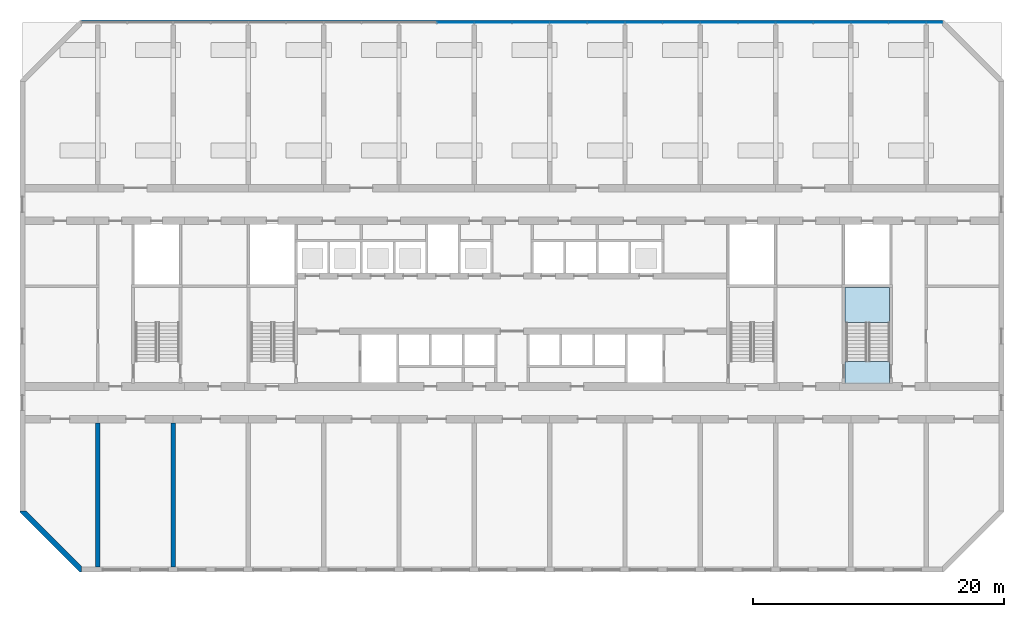
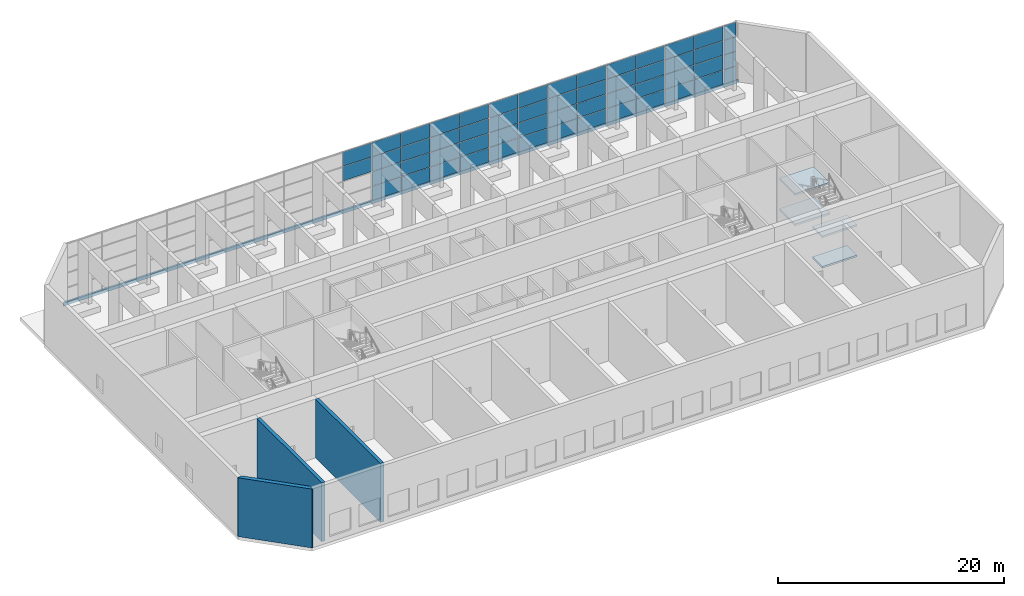
# One storey, part 5 of 16: 54 plates, 5 slabs, 3 walls, 6 elements without a shape of their own.
"""IFC4 building model written with IfcOpenShell, lengths in metres."""

from ifc_helpers import new_model, si_unit, direction, frame, frame_2d, origin, origin_2d, place, context, subcontext, project, spatial, polyline, rectangle, outline, extrude, source, transform, mapped, material, layer, layer_set, type_object, element, aggregate, save


model = new_model("IFC4")

# Units and contexts
model_context = context("Model", 3, precision=1e-05, world=origin(), true_north=direction((0.0, 1.0)))
body_context = subcontext(model_context, "Body", "Model", "MODEL_VIEW")
ifc_project = project(units=[si_unit("LENGTHUNIT", "METRE"), si_unit("AREAUNIT", "SQUARE_METRE"), si_unit("VOLUMEUNIT", "CUBIC_METRE"), si_unit("PLANEANGLEUNIT", "RADIAN"), si_unit("MASSUNIT", "GRAM", prefix="KILO")], contexts=[model_context])

# Site, building, storey
site_placement = place(None, origin())
site = spatial("IfcSite", under=ifc_project, at=site_placement, CompositionType="ELEMENT")
building_placement = place(site_placement, origin())
building = spatial("IfcBuilding", under=site, at=building_placement, Name="Poui Terraces", CompositionType="ELEMENT")
storey_placement = place(building_placement, frame((0.0, 0.0, 115.800048828125)))
storey = spatial("IfcBuildingStorey", under=building, at=storey_placement, Name="L32", CompositionType="ELEMENT", Elevation=115.800048828125)

# Curtain wall, plates
ifc_material_1 = material(Name="Clear glass", Category="glass")
ifc_layer_1 = layer(ifc_material_1, 0.159912109375)
ifc_layer_set_1 = layer_set([ifc_layer_1], Name="Clear glass")
curtain_wall_type = type_object("IfcCurtainWallType", Name="CURTAIN WALL CW-D SKY GARDEN GLAZING", PredefinedType="NOTDEFINED", material=ifc_layer_set_1)
curtain_wall_1_placement = place(storey_placement, origin())
curtain_wall_1 = element("IfcCurtainWall", 1, at=curtain_wall_1_placement, inside=storey, type_object=curtain_wall_type, Name="CW-D SKY GARDEN GLAZING", PredefinedType="NOTDEFINED")
ifc_layer_2 = layer(ifc_material_1, 0.052001953125)
ifc_layer_set_2 = layer_set([ifc_layer_2], Name="Clear glass")
plate_type = type_object("IfcPlateType", Name="CW-D GLASS PANEL 52", PredefinedType="CURTAIN_PANEL", material=ifc_layer_set_2)
plate_1_placement = place(storey_placement, frame((46.487548828125, 43.60009765625, 3.2099609375), z_axis=(0.0, 0.0, 1.0), x_axis=(-1.0, 0.0, 0.0)))
plate_1 = element("IfcPlate", 2, at=plate_1_placement, type_object=plate_type, Name="CW-D panel 1.3", PredefinedType="CURTAIN_PANEL", context=body_context, shape_type="SweptSolid", body=[
    extrude(rectangle(XDim=2.925048828125, YDim=0.052001953125, at=origin_2d()), origin(), (0.0, 0.0, 1.0), 1.54248046875),
])
plate_2_placement = place(storey_placement, frame((46.487548828125, 43.60009765625, 4.802490234375), z_axis=(0.0, 0.0, 1.0), x_axis=(-1.0, 0.0, 0.0)))
plate_2 = element("IfcPlate", 3, at=plate_2_placement, type_object=plate_type, Name="CW-D panel 1.4", PredefinedType="CURTAIN_PANEL", context=body_context, shape_type="SweptSolid", body=[
    extrude(rectangle(XDim=2.925048828125, YDim=0.052001953125, at=origin_2d()), origin(), (0.0, 0.0, 1.0), 1.517578125),
])
aggregate(curtain_wall_1, [plate_1, plate_2])

curtain_wall_2_placement = place(storey_placement, origin())
curtain_wall_2 = element("IfcCurtainWall", 4, at=curtain_wall_2_placement, inside=storey, type_object=curtain_wall_type, Name="CW-D SKY GARDEN GLAZING", PredefinedType="NOTDEFINED")
plate_3_placement = place(storey_placement, frame((58.487548828125, 43.60009765625, 0.0498046875), z_axis=(0.0, 0.0, 1.0), x_axis=(-1.0, 0.0, 0.0)))
plate_3 = element("IfcPlate", 5, at=plate_3_placement, type_object=plate_type, Name="CW-D panel 1.1", PredefinedType="CURTAIN_PANEL", context=body_context, shape_type="SweptSolid", body=[
    extrude(rectangle(XDim=2.925048828125, YDim=0.052001953125, at=origin_2d()), origin(), (0.0, 0.0, 1.0), 1.517578125),
])
plate_4_placement = place(storey_placement, frame((58.487548828125, 43.60009765625, 1.617431640625), z_axis=(0.0, 0.0, 1.0), x_axis=(-1.0, 0.0, 0.0)))
plate_4 = element("IfcPlate", 6, at=plate_4_placement, type_object=plate_type, Name="CW-D panel 1.2", PredefinedType="CURTAIN_PANEL", context=body_context, shape_type="SweptSolid", body=[
    extrude(rectangle(XDim=2.925048828125, YDim=0.052001953125, at=origin_2d()), origin(), (0.0, 0.0, 1.0), 1.54248046875),
])
plate_5_placement = place(storey_placement, frame((58.487548828125, 43.60009765625, 3.2099609375), z_axis=(0.0, 0.0, 1.0), x_axis=(-1.0, 0.0, 0.0)))
plate_5 = element("IfcPlate", 7, at=plate_5_placement, type_object=plate_type, Name="CW-D panel 1.3", PredefinedType="CURTAIN_PANEL", context=body_context, shape_type="SweptSolid", body=[
    extrude(rectangle(XDim=2.925048828125, YDim=0.052001953125, at=origin_2d()), origin(), (0.0, 0.0, 1.0), 1.54248046875),
])
plate_6_placement = place(storey_placement, frame((58.487548828125, 43.60009765625, 4.802490234375), z_axis=(0.0, 0.0, 1.0), x_axis=(-1.0, 0.0, 0.0)))
plate_6 = element("IfcPlate", 8, at=plate_6_placement, type_object=plate_type, Name="CW-D panel 1.4", PredefinedType="CURTAIN_PANEL", context=body_context, shape_type="SweptSolid", body=[
    extrude(rectangle(XDim=2.925048828125, YDim=0.052001953125, at=origin_2d()), origin(), (0.0, 0.0, 1.0), 1.517578125),
])
plate_7_placement = place(storey_placement, frame((55.5, 43.60009765625, 0.0498046875), z_axis=(0.0, 0.0, 1.0), x_axis=(-1.0, 0.0, 0.0)))
plate_7 = element("IfcPlate", 9, at=plate_7_placement, type_object=plate_type, Name="CW-D panel 2.1", PredefinedType="CURTAIN_PANEL", context=body_context, shape_type="SweptSolid", body=[
    extrude(rectangle(XDim=2.949951171875, YDim=0.052001953125, at=origin_2d()), origin(), (0.0, 0.0, 1.0), 1.517578125),
])
plate_8_placement = place(storey_placement, frame((55.5, 43.60009765625, 1.617431640625), z_axis=(0.0, 0.0, 1.0), x_axis=(-1.0, 0.0, 0.0)))
plate_8 = element("IfcPlate", 10, at=plate_8_placement, type_object=plate_type, Name="CW-D panel 2.2", PredefinedType="CURTAIN_PANEL", context=body_context, shape_type="SweptSolid", body=[
    extrude(rectangle(XDim=2.949951171875, YDim=0.052001953125, at=origin_2d()), origin(), (0.0, 0.0, 1.0), 1.54248046875),
])
plate_9_placement = place(storey_placement, frame((55.5, 43.60009765625, 3.2099609375), z_axis=(0.0, 0.0, 1.0), x_axis=(-1.0, 0.0, 0.0)))
plate_9 = element("IfcPlate", 11, at=plate_9_placement, type_object=plate_type, Name="CW-D panel 2.3", PredefinedType="CURTAIN_PANEL", context=body_context, shape_type="SweptSolid", body=[
    extrude(rectangle(XDim=2.949951171875, YDim=0.052001953125, at=origin_2d()), origin(), (0.0, 0.0, 1.0), 1.54248046875),
])
plate_10_placement = place(storey_placement, frame((55.5, 43.60009765625, 4.802490234375), z_axis=(0.0, 0.0, 1.0), x_axis=(-1.0, 0.0, 0.0)))
plate_10 = element("IfcPlate", 12, at=plate_10_placement, type_object=plate_type, Name="CW-D panel 2.4", PredefinedType="CURTAIN_PANEL", context=body_context, shape_type="SweptSolid", body=[
    extrude(rectangle(XDim=2.949951171875, YDim=0.052001953125, at=origin_2d()), origin(), (0.0, 0.0, 1.0), 1.517578125),
])
plate_11_placement = place(storey_placement, frame((52.5, 43.60009765625, 0.0498046875), z_axis=(0.0, 0.0, 1.0), x_axis=(-1.0, 0.0, 0.0)))
plate_11 = element("IfcPlate", 13, at=plate_11_placement, type_object=plate_type, Name="CW-D panel 3.1", PredefinedType="CURTAIN_PANEL", context=body_context, shape_type="SweptSolid", body=[
    extrude(rectangle(XDim=2.949951171875, YDim=0.052001953125, at=origin_2d()), origin(), (0.0, 0.0, 1.0), 1.517578125),
])
plate_12_placement = place(storey_placement, frame((52.5, 43.60009765625, 1.617431640625), z_axis=(0.0, 0.0, 1.0), x_axis=(-1.0, 0.0, 0.0)))
plate_12 = element("IfcPlate", 14, at=plate_12_placement, type_object=plate_type, Name="CW-D panel 3.2", PredefinedType="CURTAIN_PANEL", context=body_context, shape_type="SweptSolid", body=[
    extrude(rectangle(XDim=2.949951171875, YDim=0.052001953125, at=origin_2d()), origin(), (0.0, 0.0, 1.0), 1.54248046875),
])
plate_13_placement = place(storey_placement, frame((52.5, 43.60009765625, 3.2099609375), z_axis=(0.0, 0.0, 1.0), x_axis=(-1.0, 0.0, 0.0)))
plate_13 = element("IfcPlate", 15, at=plate_13_placement, type_object=plate_type, Name="CW-D panel 3.3", PredefinedType="CURTAIN_PANEL", context=body_context, shape_type="SweptSolid", body=[
    extrude(rectangle(XDim=2.949951171875, YDim=0.052001953125, at=origin_2d()), origin(), (0.0, 0.0, 1.0), 1.54248046875),
])
plate_14_placement = place(storey_placement, frame((52.5, 43.60009765625, 4.802490234375), z_axis=(0.0, 0.0, 1.0), x_axis=(-1.0, 0.0, 0.0)))
plate_14 = element("IfcPlate", 16, at=plate_14_placement, type_object=plate_type, Name="CW-D panel 3.4", PredefinedType="CURTAIN_PANEL", context=body_context, shape_type="SweptSolid", body=[
    extrude(rectangle(XDim=2.949951171875, YDim=0.052001953125, at=origin_2d()), origin(), (0.0, 0.0, 1.0), 1.517578125),
])
plate_15_placement = place(storey_placement, frame((49.512451171875, 43.60009765625, 0.0498046875), z_axis=(0.0, 0.0, 1.0), x_axis=(-1.0, 0.0, 0.0)))
plate_15 = element("IfcPlate", 17, at=plate_15_placement, type_object=plate_type, Name="CW-D panel 4.1", PredefinedType="CURTAIN_PANEL", context=body_context, shape_type="SweptSolid", body=[
    extrude(rectangle(XDim=2.925048828125, YDim=0.052001953125, at=origin_2d()), origin(), (0.0, 0.0, 1.0), 1.517578125),
])
plate_16_placement = place(storey_placement, frame((49.512451171875, 43.60009765625, 1.617431640625), z_axis=(0.0, 0.0, 1.0), x_axis=(-1.0, 0.0, 0.0)))
plate_16 = element("IfcPlate", 18, at=plate_16_placement, type_object=plate_type, Name="CW-D panel 4.2", PredefinedType="CURTAIN_PANEL", context=body_context, shape_type="SweptSolid", body=[
    extrude(rectangle(XDim=2.925048828125, YDim=0.052001953125, at=origin_2d()), origin(), (0.0, 0.0, 1.0), 1.54248046875),
])
plate_17_placement = place(storey_placement, frame((49.512451171875, 43.60009765625, 3.2099609375), z_axis=(0.0, 0.0, 1.0), x_axis=(-1.0, 0.0, 0.0)))
plate_17 = element("IfcPlate", 19, at=plate_17_placement, type_object=plate_type, Name="CW-D panel 4.3", PredefinedType="CURTAIN_PANEL", context=body_context, shape_type="SweptSolid", body=[
    extrude(rectangle(XDim=2.925048828125, YDim=0.052001953125, at=origin_2d()), origin(), (0.0, 0.0, 1.0), 1.54248046875),
])
plate_18_placement = place(storey_placement, frame((49.512451171875, 43.60009765625, 4.802490234375), z_axis=(0.0, 0.0, 1.0), x_axis=(-1.0, 0.0, 0.0)))
plate_18 = element("IfcPlate", 20, at=plate_18_placement, type_object=plate_type, Name="CW-D panel 4.4", PredefinedType="CURTAIN_PANEL", context=body_context, shape_type="SweptSolid", body=[
    extrude(rectangle(XDim=2.925048828125, YDim=0.052001953125, at=origin_2d()), origin(), (0.0, 0.0, 1.0), 1.517578125),
])
aggregate(curtain_wall_2, [plate_3, plate_4, plate_5, plate_6, plate_7, plate_8, plate_9, plate_10, plate_11, plate_12, plate_13, plate_14, plate_15, plate_16, plate_17, plate_18])

curtain_wall_3_placement = place(storey_placement, origin())
curtain_wall_3 = element("IfcCurtainWall", 21, at=curtain_wall_3_placement, inside=storey, type_object=curtain_wall_type, Name="CW-D SKY GARDEN GLAZING", PredefinedType="NOTDEFINED")
plate_19_placement = place(storey_placement, frame((70.487548828125, 43.60009765625, 0.0498046875), z_axis=(0.0, 0.0, 1.0), x_axis=(-1.0, 0.0, 0.0)))
plate_19 = element("IfcPlate", 22, at=plate_19_placement, type_object=plate_type, Name="CW-D panel 1.1", PredefinedType="CURTAIN_PANEL", context=body_context, shape_type="SweptSolid", body=[
    extrude(rectangle(XDim=2.925048828125, YDim=0.052001953125, at=origin_2d()), origin(), (0.0, 0.0, 1.0), 1.517578125),
])
plate_20_placement = place(storey_placement, frame((70.487548828125, 43.60009765625, 1.617431640625), z_axis=(0.0, 0.0, 1.0), x_axis=(-1.0, 0.0, 0.0)))
plate_20 = element("IfcPlate", 23, at=plate_20_placement, type_object=plate_type, Name="CW-D panel 1.2", PredefinedType="CURTAIN_PANEL", context=body_context, shape_type="SweptSolid", body=[
    extrude(rectangle(XDim=2.925048828125, YDim=0.052001953125, at=origin_2d()), origin(), (0.0, 0.0, 1.0), 1.54248046875),
])
plate_21_placement = place(storey_placement, frame((70.487548828125, 43.60009765625, 3.2099609375), z_axis=(0.0, 0.0, 1.0), x_axis=(-1.0, 0.0, 0.0)))
plate_21 = element("IfcPlate", 24, at=plate_21_placement, type_object=plate_type, Name="CW-D panel 1.3", PredefinedType="CURTAIN_PANEL", context=body_context, shape_type="SweptSolid", body=[
    extrude(rectangle(XDim=2.925048828125, YDim=0.052001953125, at=origin_2d()), origin(), (0.0, 0.0, 1.0), 1.54248046875),
])
plate_22_placement = place(storey_placement, frame((70.487548828125, 43.60009765625, 4.802490234375), z_axis=(0.0, 0.0, 1.0), x_axis=(-1.0, 0.0, 0.0)))
plate_22 = element("IfcPlate", 25, at=plate_22_placement, type_object=plate_type, Name="CW-D panel 1.4", PredefinedType="CURTAIN_PANEL", context=body_context, shape_type="SweptSolid", body=[
    extrude(rectangle(XDim=2.925048828125, YDim=0.052001953125, at=origin_2d()), origin(), (0.0, 0.0, 1.0), 1.517578125),
])
plate_23_placement = place(storey_placement, frame((67.5, 43.60009765625, 0.0498046875), z_axis=(0.0, 0.0, 1.0), x_axis=(-1.0, 0.0, 0.0)))
plate_23 = element("IfcPlate", 26, at=plate_23_placement, type_object=plate_type, Name="CW-D panel 2.1", PredefinedType="CURTAIN_PANEL", context=body_context, shape_type="SweptSolid", body=[
    extrude(rectangle(XDim=2.949951171875, YDim=0.052001953125, at=origin_2d()), origin(), (0.0, 0.0, 1.0), 1.517578125),
])
plate_24_placement = place(storey_placement, frame((67.5, 43.60009765625, 1.617431640625), z_axis=(0.0, 0.0, 1.0), x_axis=(-1.0, 0.0, 0.0)))
plate_24 = element("IfcPlate", 27, at=plate_24_placement, type_object=plate_type, Name="CW-D panel 2.2", PredefinedType="CURTAIN_PANEL", context=body_context, shape_type="SweptSolid", body=[
    extrude(rectangle(XDim=2.949951171875, YDim=0.052001953125, at=origin_2d()), origin(), (0.0, 0.0, 1.0), 1.54248046875),
])
plate_25_placement = place(storey_placement, frame((67.5, 43.60009765625, 3.2099609375), z_axis=(0.0, 0.0, 1.0), x_axis=(-1.0, 0.0, 0.0)))
plate_25 = element("IfcPlate", 28, at=plate_25_placement, type_object=plate_type, Name="CW-D panel 2.3", PredefinedType="CURTAIN_PANEL", context=body_context, shape_type="SweptSolid", body=[
    extrude(rectangle(XDim=2.949951171875, YDim=0.052001953125, at=origin_2d()), origin(), (0.0, 0.0, 1.0), 1.54248046875),
])
plate_26_placement = place(storey_placement, frame((67.5, 43.60009765625, 4.802490234375), z_axis=(0.0, 0.0, 1.0), x_axis=(-1.0, 0.0, 0.0)))
plate_26 = element("IfcPlate", 29, at=plate_26_placement, type_object=plate_type, Name="CW-D panel 2.4", PredefinedType="CURTAIN_PANEL", context=body_context, shape_type="SweptSolid", body=[
    extrude(rectangle(XDim=2.949951171875, YDim=0.052001953125, at=origin_2d()), origin(), (0.0, 0.0, 1.0), 1.517578125),
])
plate_27_placement = place(storey_placement, frame((64.5, 43.60009765625, 0.0498046875), z_axis=(0.0, 0.0, 1.0), x_axis=(-1.0, 0.0, 0.0)))
plate_27 = element("IfcPlate", 30, at=plate_27_placement, type_object=plate_type, Name="CW-D panel 3.1", PredefinedType="CURTAIN_PANEL", context=body_context, shape_type="SweptSolid", body=[
    extrude(rectangle(XDim=2.949951171875, YDim=0.052001953125, at=origin_2d()), origin(), (0.0, 0.0, 1.0), 1.517578125),
])
plate_28_placement = place(storey_placement, frame((64.5, 43.60009765625, 1.617431640625), z_axis=(0.0, 0.0, 1.0), x_axis=(-1.0, 0.0, 0.0)))
plate_28 = element("IfcPlate", 31, at=plate_28_placement, type_object=plate_type, Name="CW-D panel 3.2", PredefinedType="CURTAIN_PANEL", context=body_context, shape_type="SweptSolid", body=[
    extrude(rectangle(XDim=2.949951171875, YDim=0.052001953125, at=origin_2d()), origin(), (0.0, 0.0, 1.0), 1.54248046875),
])
plate_29_placement = place(storey_placement, frame((64.5, 43.60009765625, 3.2099609375), z_axis=(0.0, 0.0, 1.0), x_axis=(-1.0, 0.0, 0.0)))
plate_29 = element("IfcPlate", 32, at=plate_29_placement, type_object=plate_type, Name="CW-D panel 3.3", PredefinedType="CURTAIN_PANEL", context=body_context, shape_type="SweptSolid", body=[
    extrude(rectangle(XDim=2.949951171875, YDim=0.052001953125, at=origin_2d()), origin(), (0.0, 0.0, 1.0), 1.54248046875),
])
plate_30_placement = place(storey_placement, frame((64.5, 43.60009765625, 4.802490234375), z_axis=(0.0, 0.0, 1.0), x_axis=(-1.0, 0.0, 0.0)))
plate_30 = element("IfcPlate", 33, at=plate_30_placement, type_object=plate_type, Name="CW-D panel 3.4", PredefinedType="CURTAIN_PANEL", context=body_context, shape_type="SweptSolid", body=[
    extrude(rectangle(XDim=2.949951171875, YDim=0.052001953125, at=origin_2d()), origin(), (0.0, 0.0, 1.0), 1.517578125),
])
plate_31_placement = place(storey_placement, frame((61.512451171875, 43.60009765625, 0.0498046875), z_axis=(0.0, 0.0, 1.0), x_axis=(-1.0, 0.0, 0.0)))
plate_31 = element("IfcPlate", 34, at=plate_31_placement, type_object=plate_type, Name="CW-D panel 4.1", PredefinedType="CURTAIN_PANEL", context=body_context, shape_type="SweptSolid", body=[
    extrude(rectangle(XDim=2.925048828125, YDim=0.052001953125, at=origin_2d()), origin(), (0.0, 0.0, 1.0), 1.517578125),
])
plate_32_placement = place(storey_placement, frame((61.512451171875, 43.60009765625, 1.617431640625), z_axis=(0.0, 0.0, 1.0), x_axis=(-1.0, 0.0, 0.0)))
plate_32 = element("IfcPlate", 35, at=plate_32_placement, type_object=plate_type, Name="CW-D panel 4.2", PredefinedType="CURTAIN_PANEL", context=body_context, shape_type="SweptSolid", body=[
    extrude(rectangle(XDim=2.925048828125, YDim=0.052001953125, at=origin_2d()), origin(), (0.0, 0.0, 1.0), 1.54248046875),
])
plate_33_placement = place(storey_placement, frame((61.512451171875, 43.60009765625, 3.2099609375), z_axis=(0.0, 0.0, 1.0), x_axis=(-1.0, 0.0, 0.0)))
plate_33 = element("IfcPlate", 36, at=plate_33_placement, type_object=plate_type, Name="CW-D panel 4.3", PredefinedType="CURTAIN_PANEL", context=body_context, shape_type="SweptSolid", body=[
    extrude(rectangle(XDim=2.925048828125, YDim=0.052001953125, at=origin_2d()), origin(), (0.0, 0.0, 1.0), 1.54248046875),
])
plate_34_placement = place(storey_placement, frame((61.512451171875, 43.60009765625, 4.802490234375), z_axis=(0.0, 0.0, 1.0), x_axis=(-1.0, 0.0, 0.0)))
plate_34 = element("IfcPlate", 37, at=plate_34_placement, type_object=plate_type, Name="CW-D panel 4.4", PredefinedType="CURTAIN_PANEL", context=body_context, shape_type="SweptSolid", body=[
    extrude(rectangle(XDim=2.925048828125, YDim=0.052001953125, at=origin_2d()), origin(), (0.0, 0.0, 1.0), 1.517578125),
])
aggregate(curtain_wall_3, [plate_19, plate_20, plate_21, plate_22, plate_23, plate_24, plate_25, plate_26, plate_27, plate_28, plate_29, plate_30, plate_31, plate_32, plate_33, plate_34])

curtain_wall_4_placement = place(storey_placement, origin())
curtain_wall_4 = element("IfcCurtainWall", 38, at=curtain_wall_4_placement, inside=storey, type_object=curtain_wall_type, Name="CW-D SKY GARDEN GLAZING", PredefinedType="NOTDEFINED")
plate_35_placement = place(storey_placement, frame((82.487548828125, 43.60009765625, 0.0498046875), z_axis=(0.0, 0.0, 1.0), x_axis=(-1.0, 0.0, 0.0)))
plate_35 = element("IfcPlate", 39, at=plate_35_placement, type_object=plate_type, Name="CW-D panel 1.1", PredefinedType="CURTAIN_PANEL", context=body_context, shape_type="SweptSolid", body=[
    extrude(rectangle(XDim=2.925048828125, YDim=0.052001953125, at=origin_2d()), origin(), (0.0, 0.0, 1.0), 1.517578125),
])
plate_36_placement = place(storey_placement, frame((82.487548828125, 43.60009765625, 1.617431640625), z_axis=(0.0, 0.0, 1.0), x_axis=(-1.0, 0.0, 0.0)))
plate_36 = element("IfcPlate", 40, at=plate_36_placement, type_object=plate_type, Name="CW-D panel 1.2", PredefinedType="CURTAIN_PANEL", context=body_context, shape_type="SweptSolid", body=[
    extrude(rectangle(XDim=2.925048828125, YDim=0.052001953125, at=origin_2d()), origin(), (0.0, 0.0, 1.0), 1.54248046875),
])
plate_37_placement = place(storey_placement, frame((82.487548828125, 43.60009765625, 3.2099609375), z_axis=(0.0, 0.0, 1.0), x_axis=(-1.0, 0.0, 0.0)))
plate_37 = element("IfcPlate", 41, at=plate_37_placement, type_object=plate_type, Name="CW-D panel 1.3", PredefinedType="CURTAIN_PANEL", context=body_context, shape_type="SweptSolid", body=[
    extrude(rectangle(XDim=2.925048828125, YDim=0.052001953125, at=origin_2d()), origin(), (0.0, 0.0, 1.0), 1.54248046875),
])
plate_38_placement = place(storey_placement, frame((82.487548828125, 43.60009765625, 4.802490234375), z_axis=(0.0, 0.0, 1.0), x_axis=(-1.0, 0.0, 0.0)))
plate_38 = element("IfcPlate", 42, at=plate_38_placement, type_object=plate_type, Name="CW-D panel 1.4", PredefinedType="CURTAIN_PANEL", context=body_context, shape_type="SweptSolid", body=[
    extrude(rectangle(XDim=2.925048828125, YDim=0.052001953125, at=origin_2d()), origin(), (0.0, 0.0, 1.0), 1.517578125),
])
plate_39_placement = place(storey_placement, frame((79.5, 43.60009765625, 0.0498046875), z_axis=(0.0, 0.0, 1.0), x_axis=(-1.0, 0.0, 0.0)))
plate_39 = element("IfcPlate", 43, at=plate_39_placement, type_object=plate_type, Name="CW-D panel 2.1", PredefinedType="CURTAIN_PANEL", context=body_context, shape_type="SweptSolid", body=[
    extrude(rectangle(XDim=2.949951171875, YDim=0.052001953125, at=origin_2d()), origin(), (0.0, 0.0, 1.0), 1.517578125),
])
plate_40_placement = place(storey_placement, frame((79.5, 43.60009765625, 1.617431640625), z_axis=(0.0, 0.0, 1.0), x_axis=(-1.0, 0.0, 0.0)))
plate_40 = element("IfcPlate", 44, at=plate_40_placement, type_object=plate_type, Name="CW-D panel 2.2", PredefinedType="CURTAIN_PANEL", context=body_context, shape_type="SweptSolid", body=[
    extrude(rectangle(XDim=2.949951171875, YDim=0.052001953125, at=origin_2d()), origin(), (0.0, 0.0, 1.0), 1.54248046875),
])
plate_41_placement = place(storey_placement, frame((79.5, 43.60009765625, 3.2099609375), z_axis=(0.0, 0.0, 1.0), x_axis=(-1.0, 0.0, 0.0)))
plate_41 = element("IfcPlate", 45, at=plate_41_placement, type_object=plate_type, Name="CW-D panel 2.3", PredefinedType="CURTAIN_PANEL", context=body_context, shape_type="SweptSolid", body=[
    extrude(rectangle(XDim=2.949951171875, YDim=0.052001953125, at=origin_2d()), origin(), (0.0, 0.0, 1.0), 1.54248046875),
])
plate_42_placement = place(storey_placement, frame((79.5, 43.60009765625, 4.802490234375), z_axis=(0.0, 0.0, 1.0), x_axis=(-1.0, 0.0, 0.0)))
plate_42 = element("IfcPlate", 46, at=plate_42_placement, type_object=plate_type, Name="CW-D panel 2.4", PredefinedType="CURTAIN_PANEL", context=body_context, shape_type="SweptSolid", body=[
    extrude(rectangle(XDim=2.949951171875, YDim=0.052001953125, at=origin_2d()), origin(), (0.0, 0.0, 1.0), 1.517578125),
])
plate_43_placement = place(storey_placement, frame((76.5, 43.60009765625, 0.0498046875), z_axis=(0.0, 0.0, 1.0), x_axis=(-1.0, 0.0, 0.0)))
plate_43 = element("IfcPlate", 47, at=plate_43_placement, type_object=plate_type, Name="CW-D panel 3.1", PredefinedType="CURTAIN_PANEL", context=body_context, shape_type="SweptSolid", body=[
    extrude(rectangle(XDim=2.949951171875, YDim=0.052001953125, at=origin_2d()), origin(), (0.0, 0.0, 1.0), 1.517578125),
])
plate_44_placement = place(storey_placement, frame((76.5, 43.60009765625, 1.617431640625), z_axis=(0.0, 0.0, 1.0), x_axis=(-1.0, 0.0, 0.0)))
plate_44 = element("IfcPlate", 48, at=plate_44_placement, type_object=plate_type, Name="CW-D panel 3.2", PredefinedType="CURTAIN_PANEL", context=body_context, shape_type="SweptSolid", body=[
    extrude(rectangle(XDim=2.949951171875, YDim=0.052001953125, at=origin_2d()), origin(), (0.0, 0.0, 1.0), 1.54248046875),
])
plate_45_placement = place(storey_placement, frame((76.5, 43.60009765625, 3.2099609375), z_axis=(0.0, 0.0, 1.0), x_axis=(-1.0, 0.0, 0.0)))
plate_45 = element("IfcPlate", 49, at=plate_45_placement, type_object=plate_type, Name="CW-D panel 3.3", PredefinedType="CURTAIN_PANEL", context=body_context, shape_type="SweptSolid", body=[
    extrude(rectangle(XDim=2.949951171875, YDim=0.052001953125, at=origin_2d()), origin(), (0.0, 0.0, 1.0), 1.54248046875),
])
plate_46_placement = place(storey_placement, frame((76.5, 43.60009765625, 4.802490234375), z_axis=(0.0, 0.0, 1.0), x_axis=(-1.0, 0.0, 0.0)))
plate_46 = element("IfcPlate", 50, at=plate_46_placement, type_object=plate_type, Name="CW-D panel 3.4", PredefinedType="CURTAIN_PANEL", context=body_context, shape_type="SweptSolid", body=[
    extrude(rectangle(XDim=2.949951171875, YDim=0.052001953125, at=origin_2d()), origin(), (0.0, 0.0, 1.0), 1.517578125),
])
plate_47_placement = place(storey_placement, frame((73.512451171875, 43.60009765625, 0.0498046875), z_axis=(0.0, 0.0, 1.0), x_axis=(-1.0, 0.0, 0.0)))
plate_47 = element("IfcPlate", 51, at=plate_47_placement, type_object=plate_type, Name="CW-D panel 4.1", PredefinedType="CURTAIN_PANEL", context=body_context, shape_type="SweptSolid", body=[
    extrude(rectangle(XDim=2.925048828125, YDim=0.052001953125, at=origin_2d()), origin(), (0.0, 0.0, 1.0), 1.517578125),
])
plate_48_placement = place(storey_placement, frame((73.512451171875, 43.60009765625, 1.617431640625), z_axis=(0.0, 0.0, 1.0), x_axis=(-1.0, 0.0, 0.0)))
plate_48 = element("IfcPlate", 52, at=plate_48_placement, type_object=plate_type, Name="CW-D panel 4.2", PredefinedType="CURTAIN_PANEL", context=body_context, shape_type="SweptSolid", body=[
    extrude(rectangle(XDim=2.925048828125, YDim=0.052001953125, at=origin_2d()), origin(), (0.0, 0.0, 1.0), 1.54248046875),
])
plate_49_placement = place(storey_placement, frame((73.512451171875, 43.60009765625, 3.2099609375), z_axis=(0.0, 0.0, 1.0), x_axis=(-1.0, 0.0, 0.0)))
plate_49 = element("IfcPlate", 53, at=plate_49_placement, type_object=plate_type, Name="CW-D panel 4.3", PredefinedType="CURTAIN_PANEL", context=body_context, shape_type="SweptSolid", body=[
    extrude(rectangle(XDim=2.925048828125, YDim=0.052001953125, at=origin_2d()), origin(), (0.0, 0.0, 1.0), 1.54248046875),
])
plate_50_placement = place(storey_placement, frame((73.512451171875, 43.60009765625, 4.802490234375), z_axis=(0.0, 0.0, 1.0), x_axis=(-1.0, 0.0, 0.0)))
plate_50 = element("IfcPlate", 54, at=plate_50_placement, type_object=plate_type, Name="CW-D panel 4.4", PredefinedType="CURTAIN_PANEL", context=body_context, shape_type="SweptSolid", body=[
    extrude(rectangle(XDim=2.925048828125, YDim=0.052001953125, at=origin_2d()), origin(), (0.0, 0.0, 1.0), 1.517578125),
])
aggregate(curtain_wall_4, [plate_35, plate_36, plate_37, plate_38, plate_39, plate_40, plate_41, plate_42, plate_43, plate_44, plate_45, plate_46, plate_47, plate_48, plate_49, plate_50])

curtain_wall_5_placement = place(storey_placement, origin())
curtain_wall_5 = element("IfcCurtainWall", 55, at=curtain_wall_5_placement, inside=storey, type_object=curtain_wall_type, Name="CW-D SKY GARDEN GLAZING", PredefinedType="NOTDEFINED")
plate_51_placement = place(storey_placement, frame((84.65869140625, 43.60009765625, 0.0498046875), z_axis=(0.0, 0.0, 1.0), x_axis=(-1.0, 0.0, 0.0)))
plate_51 = element("IfcPlate", 56, at=plate_51_placement, type_object=plate_type, Name="CW-D panel 1.1", PredefinedType="CURTAIN_PANEL", context=body_context, shape_type="SweptSolid", body=[
    extrude(rectangle(XDim=1.21728515625, YDim=0.052001953125, at=origin_2d()), origin(), (0.0, 0.0, 1.0), 1.517578125),
])
plate_52_placement = place(storey_placement, frame((84.65869140625, 43.60009765625, 1.617431640625), z_axis=(0.0, 0.0, 1.0), x_axis=(-1.0, 0.0, 0.0)))
plate_52 = element("IfcPlate", 57, at=plate_52_placement, type_object=plate_type, Name="CW-D panel 1.2", PredefinedType="CURTAIN_PANEL", context=body_context, shape_type="SweptSolid", body=[
    extrude(rectangle(XDim=1.21728515625, YDim=0.052001953125, at=origin_2d()), origin(), (0.0, 0.0, 1.0), 1.54248046875),
])
plate_53_placement = place(storey_placement, frame((84.65869140625, 43.60009765625, 3.2099609375), z_axis=(0.0, 0.0, 1.0), x_axis=(-1.0, 0.0, 0.0)))
plate_53 = element("IfcPlate", 58, at=plate_53_placement, type_object=plate_type, Name="CW-D panel 1.3", PredefinedType="CURTAIN_PANEL", context=body_context, shape_type="SweptSolid", body=[
    extrude(rectangle(XDim=1.21728515625, YDim=0.052001953125, at=origin_2d()), origin(), (0.0, 0.0, 1.0), 1.54248046875),
])
plate_54_placement = place(storey_placement, frame((84.65869140625, 43.60009765625, 4.802490234375), z_axis=(0.0, 0.0, 1.0), x_axis=(-1.0, 0.0, 0.0)))
plate_54 = element("IfcPlate", 59, at=plate_54_placement, type_object=plate_type, Name="CW-D panel 1.4", PredefinedType="CURTAIN_PANEL", context=body_context, shape_type="SweptSolid", body=[
    extrude(rectangle(XDim=1.21728515625, YDim=0.052001953125, at=origin_2d()), origin(), (0.0, 0.0, 1.0), 1.517578125),
])
aggregate(curtain_wall_5, [plate_51, plate_52, plate_53, plate_54])

# Stair, slabs
ifc_material_2 = material(Name="Concrete 65 MPa", Category="concrete")
stair_type = type_object("IfcStairType", Name="EXIT STAIR 1650 65 MPA", PredefinedType="HALF_TURN_STAIR", material=ifc_material_2)
stair_placement = place(storey_placement, origin())
stair = element("IfcStair", 60, at=stair_placement, inside=storey, type_object=stair_type, Name="L32 TIP STAIR EAST", PredefinedType="HALF_TURN_STAIR")
ifc_layer_3 = layer(ifc_material_2, 0.199951171875)
ifc_layer_set_3 = layer_set([ifc_layer_3], Name="Concrete 65 MPa")
slab_type_1 = type_object("IfcSlabType", Name="STAIR LANDING 200 65 MPA", PredefinedType="LANDING", material=ifc_layer_set_3)
slab_1_placement = place(storey_placement, frame((0.0, 0.0, 1.449951171875)))
slab_1 = element("IfcSlab", 61, at=slab_1_placement, type_object=slab_type_1, Name="ST-E landing 1", PredefinedType="LANDING", context=body_context, shape_type="SweptSolid", body=[
    extrude(outline(polyline([(77.52490234375, 19.679931640625), (81.074951171875, 19.679931640625), (81.074951171875, 22.47509765625), (77.52490234375, 22.47509765625), (77.52490234375, 19.679931640625)])), origin(), (0.0, 0.0, 1.0), 0.199951171875),
])
slab_2_placement = place(storey_placement, frame((0.0, 0.0, 3.099853515625)))
slab_2 = element("IfcSlab", 62, at=slab_2_placement, type_object=slab_type_1, Name="ST-E landing 2", PredefinedType="LANDING", context=body_context, shape_type="SweptSolid", body=[
    extrude(outline(polyline([(77.52490234375, 14.85009765625), (81.074951171875, 14.85009765625), (81.074951171875, 16.60009765625), (77.52490234375, 16.60009765625), (77.52490234375, 14.85009765625)])), origin(), (0.0, 0.0, 1.0), 0.2001953125),
])
slab_3_placement = place(storey_placement, frame((0.0, 0.0, 4.749755859375)))
slab_3 = element("IfcSlab", 63, at=slab_3_placement, type_object=slab_type_1, Name="ST-E landing 3", PredefinedType="LANDING", context=body_context, shape_type="SweptSolid", body=[
    extrude(outline(polyline([(77.52490234375, 19.679931640625), (81.074951171875, 19.679931640625), (81.074951171875, 22.47509765625), (77.52490234375, 22.47509765625), (77.52490234375, 19.679931640625)])), origin(), (0.0, 0.0, 1.0), 0.2001953125),
])
slab_4_placement = place(storey_placement, frame((0.0, 0.0, -0.2001953125)))
slab_4 = element("IfcSlab", 64, at=slab_4_placement, type_object=slab_type_1, Name="ST-E landing 4", PredefinedType="LANDING", context=body_context, shape_type="SweptSolid", body=[
    extrude(outline(polyline([(77.52490234375, 14.85009765625), (81.074951171875, 14.85009765625), (81.074951171875, 16.60009765625), (77.52490234375, 16.60009765625), (77.52490234375, 14.85009765625)])), origin(), (0.0, 0.0, 1.0), 0.2001953125),
])
aggregate(stair, [slab_1, slab_2, slab_3, slab_4])

# Slab
ifc_material_3 = material(Name="Concrete 40 MPa", Category="concrete")
ifc_layer_4 = layer(ifc_material_3, 0.35009765625)
ifc_layer_set_4 = layer_set([ifc_layer_4], Name="Concrete 40 MPa")
slab_type_2 = type_object("IfcSlabType", Name="FLOOR SLAB 350", PredefinedType="FLOOR", material=ifc_layer_set_4)
shared_shape = source(origin(), body_context, "Body", "SweptSolid", [
    extrude(outline(polyline([(0.0, 0.0), (-68.7998046875, 0.0), (-69.0, -0.199951171875), (0.2001953125, -0.199951171875), (0.0, 0.0)])), origin(), (0.0, 0.0, 1.0), 0.35009765625),
])
slab_5_placement = place(storey_placement, frame((85.39990234375, 43.800048828125, -0.35009765625)))
element("IfcSlab", 65, at=slab_5_placement, inside=storey, type_object=slab_type_2, Name="FLOOR SLAB", PredefinedType="FLOOR", context=body_context, shape_type="MappedRepresentation", body=[
    mapped(shared_shape, transform((0.0, 0.0, 0.0))),
])

# Walls
ifc_layer_5 = layer(ifc_material_2, 0.35009765625)
ifc_layer_set_5 = layer_set([ifc_layer_5], Name="Concrete 65 MPa")
wall_type_1 = type_object("IfcWallType", Name="CROSS WALL 350 65MPa", PredefinedType="SHEAR", material=ifc_layer_set_5)
for number, where, z_axis, x_axis, name in (
    (66, (18.0, 0.199951171875, 0.0), (0.0, 0.0, 1.0), (0.0, 1.0, 0.0), "CROSS WALL LINE 4 SOUTH"),
    (67, (24.0, 0.199951171875, 0.0), (0.0, 0.0, 1.0), (0.0, 1.0, 0.0), "CROSS WALL LINE 5 SOUTH"),
):
    element("IfcWall", number, at=place(storey_placement, frame(where, z_axis=z_axis, x_axis=x_axis)), inside=storey, type_object=wall_type_1, Name=name, PredefinedType="SHEAR", context=body_context, shape_type="SweptSolid", body=[
        extrude(rectangle(XDim=11.5, YDim=0.35009765625, at=frame_2d((5.75, 0.0))), origin(), (0.0, 0.0, 1.0), 6.369873046875),
    ])
ifc_material_4 = material(Name="Precast concrete 40 MPa", Category="concrete")
ifc_layer_6 = layer(ifc_material_4, 0.39990234375)
ifc_layer_set_6 = layer_set([ifc_layer_6], Name="Precast concrete 40 MPa")
wall_type_2 = type_object("IfcWallType", Name="TERRACOTTA CLAD CHAMFER WALL 400", PredefinedType="STANDARD", material=ifc_layer_set_6)
wall_placement = place(storey_placement, origin())
element("IfcWall", 68, at=wall_placement, inside=storey, type_object=wall_type_2, Name="CHAMFER WALL CH07", PredefinedType="STANDARD", context=body_context, shape_type="SweptSolid", body=[
    extrude(outline(polyline([(11.800048828125, 4.682861328125), (11.800048828125, 4.60009765625), (16.60009765625, -0.199951171875), (16.682861328125, -0.199951171875), (16.682861328125, 0.28271484375), (12.28271484375, 4.682861328125), (11.800048828125, 4.682861328125)])), origin(), (0.0, 0.0, 1.0), 6.369873046875),
])

save(model, "model.ifc")
